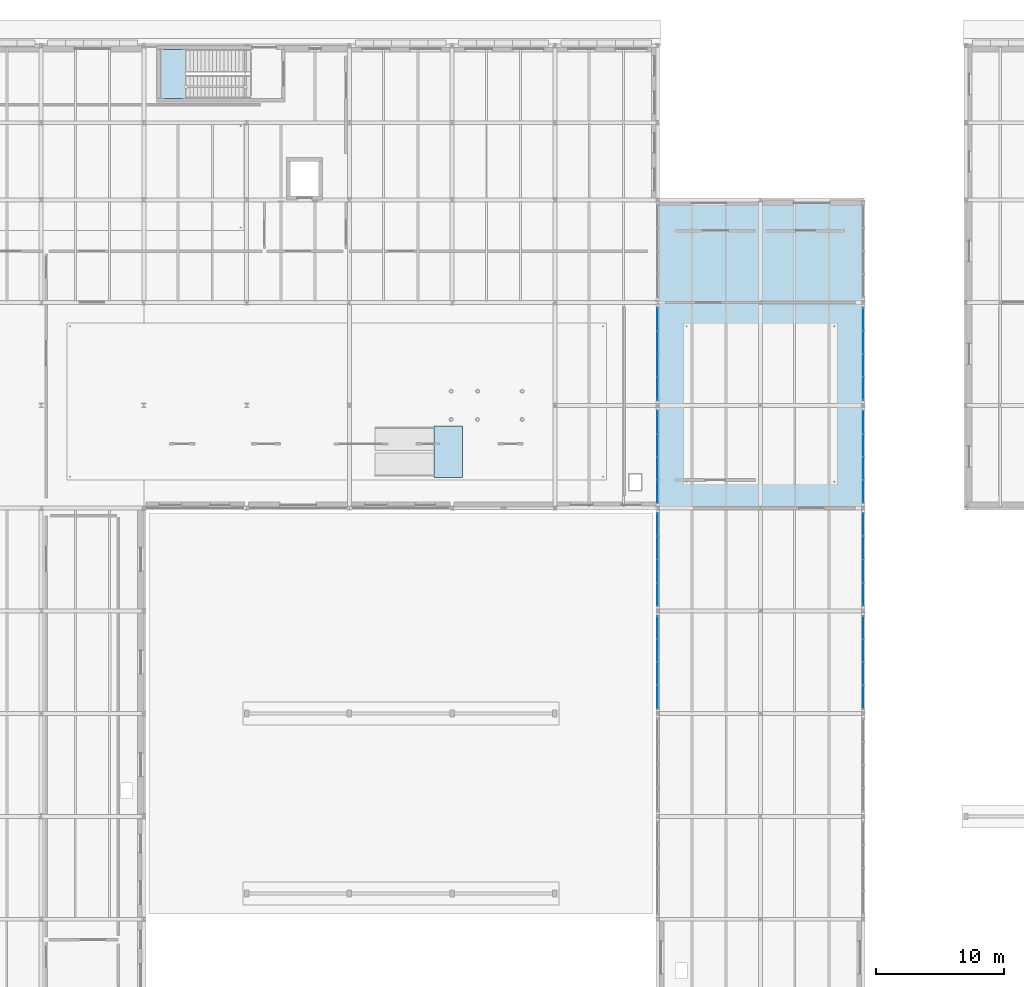
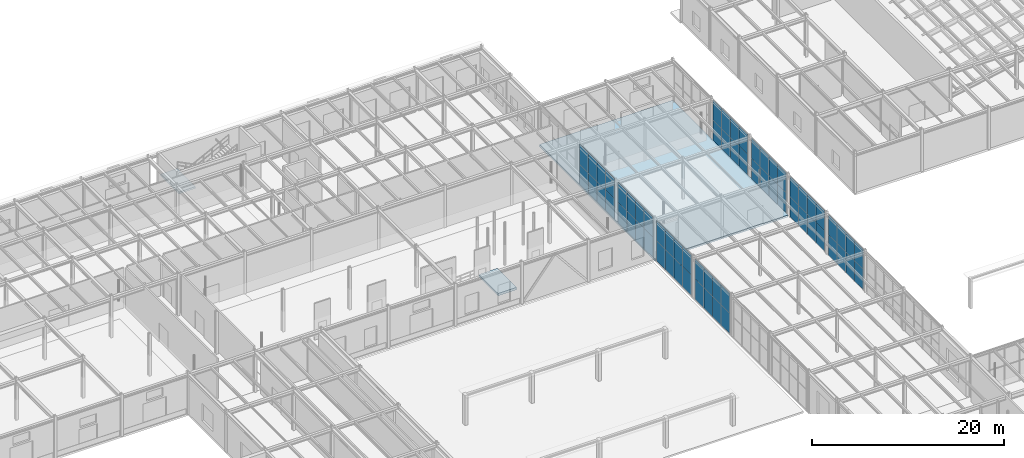
# One storey, part 62 of 129: 64 plates, 3 slabs, 10 elements without a shape of their own.
"""IFC4 building model written with IfcOpenShell, lengths in metres."""

from ifc_helpers import new_model, si_unit, direction, frame, origin, origin_2d, place, context, subcontext, project, spatial, polyline, rectangle, outline, extrude, material, layer, layer_set, type_object, element, aggregate, save


model = new_model("IFC4")

# Units and contexts
model_context = context("Model", 3, precision=1e-05, world=origin(), true_north=direction((0.0, 1.0)))
body_context = subcontext(model_context, "Body", "Model", "MODEL_VIEW")
ifc_project = project(units=[si_unit("LENGTHUNIT", "METRE"), si_unit("AREAUNIT", "SQUARE_METRE"), si_unit("VOLUMEUNIT", "CUBIC_METRE"), si_unit("PLANEANGLEUNIT", "RADIAN"), si_unit("MASSUNIT", "GRAM", prefix="KILO")], contexts=[model_context])

# Site, building, storey
site_placement = place(None, origin())
site = spatial("IfcSite", under=ifc_project, at=site_placement, CompositionType="ELEMENT")
building_placement = place(site_placement, origin())
building = spatial("IfcBuilding", under=site, at=building_placement, Name="Sundkrona Museum", CompositionType="ELEMENT")
storey_placement = place(building_placement, origin())
storey = spatial("IfcBuildingStorey", under=building, at=storey_placement, Name="L00", CompositionType="ELEMENT", Elevation=0.0)

# Curtain wall, plates
ifc_material_1 = material(Name="Unitised Aluminium-Steel and Ceramic-Clad Curtain Walling", Category="steel")
curtain_wall_type = type_object("IfcCurtainWallType", Name="CW-PS-74x48", PredefinedType="NOTDEFINED", material=ifc_material_1)
curtain_wall_1_placement = place(storey_placement, origin())
curtain_wall_1 = element("IfcCurtainWall", 1, at=curtain_wall_1_placement, inside=storey, type_object=curtain_wall_type, Name="L00 Curtain Wall CW-L00-098", PredefinedType="NOTDEFINED")
ifc_material_2 = material(Name="Triple Low-E Vision Glazing 32 mm", Category="glass")
ifc_layer_1 = layer(ifc_material_2, 0.031982421875)
ifc_layer_set_1 = layer_set([ifc_layer_1], Name="Triple Low-E Vision Glazing 32 mm")
plate_type = type_object("IfcPlateType", Name="PN-GL-01", PredefinedType="CURTAIN_PANEL", material=ifc_layer_set_1)
plate_1_placement = place(storey_placement, frame((80.0, 63.300048828125, -0.00390625), z_axis=(0.0, 0.0, 1.0), x_axis=(0.0, 1.0, 0.0)))
plate_1 = element("IfcPlate", 2, at=plate_1_placement, type_object=plate_type, Name="CW-L00-098 Panel 01", PredefinedType="CURTAIN_PANEL", context=body_context, shape_type="SweptSolid", body=[
    extrude(rectangle(XDim=1.800048828125, YDim=0.031982421875, at=origin_2d()), origin(), (0.0, 0.0, 1.0), 2.573974609375),
])
plate_2_placement = place(storey_placement, frame((80.0, 63.300048828125, 2.56982421875), z_axis=(0.0, 0.0, 1.0), x_axis=(0.0, 1.0, 0.0)))
plate_2 = element("IfcPlate", 3, at=plate_2_placement, type_object=plate_type, Name="CW-L00-098 Panel 02", PredefinedType="CURTAIN_PANEL", context=body_context, shape_type="SweptSolid", body=[
    extrude(rectangle(XDim=1.800048828125, YDim=0.031982421875, at=origin_2d()), origin(), (0.0, 0.0, 1.0), 2.573974609375),
])
plate_3_placement = place(storey_placement, frame((80.0, 65.10009765625, -0.00390625), z_axis=(0.0, 0.0, 1.0), x_axis=(0.0, 1.0, 0.0)))
plate_3 = element("IfcPlate", 4, at=plate_3_placement, type_object=plate_type, Name="CW-L00-098 Panel 03", PredefinedType="CURTAIN_PANEL", context=body_context, shape_type="SweptSolid", body=[
    extrude(rectangle(XDim=1.800048828125, YDim=0.031982421875, at=origin_2d()), origin(), (0.0, 0.0, 1.0), 2.573974609375),
])
plate_4_placement = place(storey_placement, frame((80.0, 65.10009765625, 2.56982421875), z_axis=(0.0, 0.0, 1.0), x_axis=(0.0, 1.0, 0.0)))
plate_4 = element("IfcPlate", 5, at=plate_4_placement, type_object=plate_type, Name="CW-L00-098 Panel 04", PredefinedType="CURTAIN_PANEL", context=body_context, shape_type="SweptSolid", body=[
    extrude(rectangle(XDim=1.800048828125, YDim=0.031982421875, at=origin_2d()), origin(), (0.0, 0.0, 1.0), 2.573974609375),
])
plate_5_placement = place(storey_placement, frame((80.0, 66.89990234375, -0.00390625), z_axis=(0.0, 0.0, 1.0), x_axis=(0.0, 1.0, 0.0)))
plate_5 = element("IfcPlate", 6, at=plate_5_placement, type_object=plate_type, Name="CW-L00-098 Panel 05", PredefinedType="CURTAIN_PANEL", context=body_context, shape_type="SweptSolid", body=[
    extrude(rectangle(XDim=1.800048828125, YDim=0.031982421875, at=origin_2d()), origin(), (0.0, 0.0, 1.0), 2.573974609375),
])
plate_6_placement = place(storey_placement, frame((80.0, 66.89990234375, 2.56982421875), z_axis=(0.0, 0.0, 1.0), x_axis=(0.0, 1.0, 0.0)))
plate_6 = element("IfcPlate", 7, at=plate_6_placement, type_object=plate_type, Name="CW-L00-098 Panel 06", PredefinedType="CURTAIN_PANEL", context=body_context, shape_type="SweptSolid", body=[
    extrude(rectangle(XDim=1.800048828125, YDim=0.031982421875, at=origin_2d()), origin(), (0.0, 0.0, 1.0), 2.573974609375),
])
plate_7_placement = place(storey_placement, frame((80.0, 68.699951171875, -0.00390625), z_axis=(0.0, 0.0, 1.0), x_axis=(0.0, 1.0, 0.0)))
plate_7 = element("IfcPlate", 8, at=plate_7_placement, type_object=plate_type, Name="CW-L00-098 Panel 07", PredefinedType="CURTAIN_PANEL", context=body_context, shape_type="SweptSolid", body=[
    extrude(rectangle(XDim=1.800048828125, YDim=0.031982421875, at=origin_2d()), origin(), (0.0, 0.0, 1.0), 2.573974609375),
])
plate_8_placement = place(storey_placement, frame((80.0, 68.699951171875, 2.56982421875), z_axis=(0.0, 0.0, 1.0), x_axis=(0.0, 1.0, 0.0)))
plate_8 = element("IfcPlate", 9, at=plate_8_placement, type_object=plate_type, Name="CW-L00-098 Panel 08", PredefinedType="CURTAIN_PANEL", context=body_context, shape_type="SweptSolid", body=[
    extrude(rectangle(XDim=1.800048828125, YDim=0.031982421875, at=origin_2d()), origin(), (0.0, 0.0, 1.0), 2.573974609375),
])
aggregate(curtain_wall_1, [plate_1, plate_2, plate_3, plate_4, plate_5, plate_6, plate_7, plate_8])

curtain_wall_2_placement = place(storey_placement, origin())
curtain_wall_2 = element("IfcCurtainWall", 10, at=curtain_wall_2_placement, inside=storey, type_object=curtain_wall_type, Name="L00 Curtain Wall CW-L00-099", PredefinedType="NOTDEFINED")
plate_9_placement = place(storey_placement, frame((96.0, 63.300048828125, -0.00390625), z_axis=(0.0, 0.0, 1.0), x_axis=(0.0, 1.0, 0.0)))
plate_9 = element("IfcPlate", 11, at=plate_9_placement, type_object=plate_type, Name="CW-L00-099 Panel 01", PredefinedType="CURTAIN_PANEL", context=body_context, shape_type="SweptSolid", body=[
    extrude(rectangle(XDim=1.800048828125, YDim=0.031982421875, at=origin_2d()), origin(), (0.0, 0.0, 1.0), 2.573974609375),
])
plate_10_placement = place(storey_placement, frame((96.0, 63.300048828125, 2.56982421875), z_axis=(0.0, 0.0, 1.0), x_axis=(0.0, 1.0, 0.0)))
plate_10 = element("IfcPlate", 12, at=plate_10_placement, type_object=plate_type, Name="CW-L00-099 Panel 02", PredefinedType="CURTAIN_PANEL", context=body_context, shape_type="SweptSolid", body=[
    extrude(rectangle(XDim=1.800048828125, YDim=0.031982421875, at=origin_2d()), origin(), (0.0, 0.0, 1.0), 2.573974609375),
])
plate_11_placement = place(storey_placement, frame((96.0, 65.10009765625, -0.00390625), z_axis=(0.0, 0.0, 1.0), x_axis=(0.0, 1.0, 0.0)))
plate_11 = element("IfcPlate", 13, at=plate_11_placement, type_object=plate_type, Name="CW-L00-099 Panel 03", PredefinedType="CURTAIN_PANEL", context=body_context, shape_type="SweptSolid", body=[
    extrude(rectangle(XDim=1.800048828125, YDim=0.031982421875, at=origin_2d()), origin(), (0.0, 0.0, 1.0), 2.573974609375),
])
plate_12_placement = place(storey_placement, frame((96.0, 65.10009765625, 2.56982421875), z_axis=(0.0, 0.0, 1.0), x_axis=(0.0, 1.0, 0.0)))
plate_12 = element("IfcPlate", 14, at=plate_12_placement, type_object=plate_type, Name="CW-L00-099 Panel 04", PredefinedType="CURTAIN_PANEL", context=body_context, shape_type="SweptSolid", body=[
    extrude(rectangle(XDim=1.800048828125, YDim=0.031982421875, at=origin_2d()), origin(), (0.0, 0.0, 1.0), 2.573974609375),
])
plate_13_placement = place(storey_placement, frame((96.0, 66.89990234375, -0.00390625), z_axis=(0.0, 0.0, 1.0), x_axis=(0.0, 1.0, 0.0)))
plate_13 = element("IfcPlate", 15, at=plate_13_placement, type_object=plate_type, Name="CW-L00-099 Panel 05", PredefinedType="CURTAIN_PANEL", context=body_context, shape_type="SweptSolid", body=[
    extrude(rectangle(XDim=1.800048828125, YDim=0.031982421875, at=origin_2d()), origin(), (0.0, 0.0, 1.0), 2.573974609375),
])
plate_14_placement = place(storey_placement, frame((96.0, 66.89990234375, 2.56982421875), z_axis=(0.0, 0.0, 1.0), x_axis=(0.0, 1.0, 0.0)))
plate_14 = element("IfcPlate", 16, at=plate_14_placement, type_object=plate_type, Name="CW-L00-099 Panel 06", PredefinedType="CURTAIN_PANEL", context=body_context, shape_type="SweptSolid", body=[
    extrude(rectangle(XDim=1.800048828125, YDim=0.031982421875, at=origin_2d()), origin(), (0.0, 0.0, 1.0), 2.573974609375),
])
plate_15_placement = place(storey_placement, frame((96.0, 68.699951171875, -0.00390625), z_axis=(0.0, 0.0, 1.0), x_axis=(0.0, 1.0, 0.0)))
plate_15 = element("IfcPlate", 17, at=plate_15_placement, type_object=plate_type, Name="CW-L00-099 Panel 07", PredefinedType="CURTAIN_PANEL", context=body_context, shape_type="SweptSolid", body=[
    extrude(rectangle(XDim=1.800048828125, YDim=0.031982421875, at=origin_2d()), origin(), (0.0, 0.0, 1.0), 2.573974609375),
])
plate_16_placement = place(storey_placement, frame((96.0, 68.699951171875, 2.56982421875), z_axis=(0.0, 0.0, 1.0), x_axis=(0.0, 1.0, 0.0)))
plate_16 = element("IfcPlate", 18, at=plate_16_placement, type_object=plate_type, Name="CW-L00-099 Panel 08", PredefinedType="CURTAIN_PANEL", context=body_context, shape_type="SweptSolid", body=[
    extrude(rectangle(XDim=1.800048828125, YDim=0.031982421875, at=origin_2d()), origin(), (0.0, 0.0, 1.0), 2.573974609375),
])
aggregate(curtain_wall_2, [plate_9, plate_10, plate_11, plate_12, plate_13, plate_14, plate_15, plate_16])

curtain_wall_3_placement = place(storey_placement, origin())
curtain_wall_3 = element("IfcCurtainWall", 19, at=curtain_wall_3_placement, inside=storey, type_object=curtain_wall_type, Name="L00 Curtain Wall CW-L00-100", PredefinedType="NOTDEFINED")
plate_17_placement = place(storey_placement, frame((80.0, 71.300048828125, -0.00390625), z_axis=(0.0, 0.0, 1.0), x_axis=(0.0, 1.0, 0.0)))
plate_17 = element("IfcPlate", 20, at=plate_17_placement, type_object=plate_type, Name="CW-L00-100 Panel 01", PredefinedType="CURTAIN_PANEL", context=body_context, shape_type="SweptSolid", body=[
    extrude(rectangle(XDim=1.800048828125, YDim=0.031982421875, at=origin_2d()), origin(), (0.0, 0.0, 1.0), 2.573974609375),
])
plate_18_placement = place(storey_placement, frame((80.0, 71.300048828125, 2.56982421875), z_axis=(0.0, 0.0, 1.0), x_axis=(0.0, 1.0, 0.0)))
plate_18 = element("IfcPlate", 21, at=plate_18_placement, type_object=plate_type, Name="CW-L00-100 Panel 02", PredefinedType="CURTAIN_PANEL", context=body_context, shape_type="SweptSolid", body=[
    extrude(rectangle(XDim=1.800048828125, YDim=0.031982421875, at=origin_2d()), origin(), (0.0, 0.0, 1.0), 2.573974609375),
])
plate_19_placement = place(storey_placement, frame((80.0, 73.10009765625, -0.00390625), z_axis=(0.0, 0.0, 1.0), x_axis=(0.0, 1.0, 0.0)))
plate_19 = element("IfcPlate", 22, at=plate_19_placement, type_object=plate_type, Name="CW-L00-100 Panel 03", PredefinedType="CURTAIN_PANEL", context=body_context, shape_type="SweptSolid", body=[
    extrude(rectangle(XDim=1.800048828125, YDim=0.031982421875, at=origin_2d()), origin(), (0.0, 0.0, 1.0), 2.573974609375),
])
plate_20_placement = place(storey_placement, frame((80.0, 73.10009765625, 2.56982421875), z_axis=(0.0, 0.0, 1.0), x_axis=(0.0, 1.0, 0.0)))
plate_20 = element("IfcPlate", 23, at=plate_20_placement, type_object=plate_type, Name="CW-L00-100 Panel 04", PredefinedType="CURTAIN_PANEL", context=body_context, shape_type="SweptSolid", body=[
    extrude(rectangle(XDim=1.800048828125, YDim=0.031982421875, at=origin_2d()), origin(), (0.0, 0.0, 1.0), 2.573974609375),
])
plate_21_placement = place(storey_placement, frame((80.0, 74.89990234375, -0.00390625), z_axis=(0.0, 0.0, 1.0), x_axis=(0.0, 1.0, 0.0)))
plate_21 = element("IfcPlate", 24, at=plate_21_placement, type_object=plate_type, Name="CW-L00-100 Panel 05", PredefinedType="CURTAIN_PANEL", context=body_context, shape_type="SweptSolid", body=[
    extrude(rectangle(XDim=1.800048828125, YDim=0.031982421875, at=origin_2d()), origin(), (0.0, 0.0, 1.0), 2.573974609375),
])
plate_22_placement = place(storey_placement, frame((80.0, 74.89990234375, 2.56982421875), z_axis=(0.0, 0.0, 1.0), x_axis=(0.0, 1.0, 0.0)))
plate_22 = element("IfcPlate", 25, at=plate_22_placement, type_object=plate_type, Name="CW-L00-100 Panel 06", PredefinedType="CURTAIN_PANEL", context=body_context, shape_type="SweptSolid", body=[
    extrude(rectangle(XDim=1.800048828125, YDim=0.031982421875, at=origin_2d()), origin(), (0.0, 0.0, 1.0), 2.573974609375),
])
plate_23_placement = place(storey_placement, frame((80.0, 76.699951171875, -0.00390625), z_axis=(0.0, 0.0, 1.0), x_axis=(0.0, 1.0, 0.0)))
plate_23 = element("IfcPlate", 26, at=plate_23_placement, type_object=plate_type, Name="CW-L00-100 Panel 07", PredefinedType="CURTAIN_PANEL", context=body_context, shape_type="SweptSolid", body=[
    extrude(rectangle(XDim=1.800048828125, YDim=0.031982421875, at=origin_2d()), origin(), (0.0, 0.0, 1.0), 2.573974609375),
])
plate_24_placement = place(storey_placement, frame((80.0, 76.699951171875, 2.56982421875), z_axis=(0.0, 0.0, 1.0), x_axis=(0.0, 1.0, 0.0)))
plate_24 = element("IfcPlate", 27, at=plate_24_placement, type_object=plate_type, Name="CW-L00-100 Panel 08", PredefinedType="CURTAIN_PANEL", context=body_context, shape_type="SweptSolid", body=[
    extrude(rectangle(XDim=1.800048828125, YDim=0.031982421875, at=origin_2d()), origin(), (0.0, 0.0, 1.0), 2.573974609375),
])
aggregate(curtain_wall_3, [plate_17, plate_18, plate_19, plate_20, plate_21, plate_22, plate_23, plate_24])

curtain_wall_4_placement = place(storey_placement, origin())
curtain_wall_4 = element("IfcCurtainWall", 28, at=curtain_wall_4_placement, inside=storey, type_object=curtain_wall_type, Name="L00 Curtain Wall CW-L00-101", PredefinedType="NOTDEFINED")
plate_25_placement = place(storey_placement, frame((96.0, 71.300048828125, -0.00390625), z_axis=(0.0, 0.0, 1.0), x_axis=(0.0, 1.0, 0.0)))
plate_25 = element("IfcPlate", 29, at=plate_25_placement, type_object=plate_type, Name="CW-L00-101 Panel 01", PredefinedType="CURTAIN_PANEL", context=body_context, shape_type="SweptSolid", body=[
    extrude(rectangle(XDim=1.800048828125, YDim=0.031982421875, at=origin_2d()), origin(), (0.0, 0.0, 1.0), 2.573974609375),
])
plate_26_placement = place(storey_placement, frame((96.0, 71.300048828125, 2.56982421875), z_axis=(0.0, 0.0, 1.0), x_axis=(0.0, 1.0, 0.0)))
plate_26 = element("IfcPlate", 30, at=plate_26_placement, type_object=plate_type, Name="CW-L00-101 Panel 02", PredefinedType="CURTAIN_PANEL", context=body_context, shape_type="SweptSolid", body=[
    extrude(rectangle(XDim=1.800048828125, YDim=0.031982421875, at=origin_2d()), origin(), (0.0, 0.0, 1.0), 2.573974609375),
])
plate_27_placement = place(storey_placement, frame((96.0, 73.10009765625, -0.00390625), z_axis=(0.0, 0.0, 1.0), x_axis=(0.0, 1.0, 0.0)))
plate_27 = element("IfcPlate", 31, at=plate_27_placement, type_object=plate_type, Name="CW-L00-101 Panel 03", PredefinedType="CURTAIN_PANEL", context=body_context, shape_type="SweptSolid", body=[
    extrude(rectangle(XDim=1.800048828125, YDim=0.031982421875, at=origin_2d()), origin(), (0.0, 0.0, 1.0), 2.573974609375),
])
plate_28_placement = place(storey_placement, frame((96.0, 73.10009765625, 2.56982421875), z_axis=(0.0, 0.0, 1.0), x_axis=(0.0, 1.0, 0.0)))
plate_28 = element("IfcPlate", 32, at=plate_28_placement, type_object=plate_type, Name="CW-L00-101 Panel 04", PredefinedType="CURTAIN_PANEL", context=body_context, shape_type="SweptSolid", body=[
    extrude(rectangle(XDim=1.800048828125, YDim=0.031982421875, at=origin_2d()), origin(), (0.0, 0.0, 1.0), 2.573974609375),
])
plate_29_placement = place(storey_placement, frame((96.0, 74.89990234375, -0.00390625), z_axis=(0.0, 0.0, 1.0), x_axis=(0.0, 1.0, 0.0)))
plate_29 = element("IfcPlate", 33, at=plate_29_placement, type_object=plate_type, Name="CW-L00-101 Panel 05", PredefinedType="CURTAIN_PANEL", context=body_context, shape_type="SweptSolid", body=[
    extrude(rectangle(XDim=1.800048828125, YDim=0.031982421875, at=origin_2d()), origin(), (0.0, 0.0, 1.0), 2.573974609375),
])
plate_30_placement = place(storey_placement, frame((96.0, 74.89990234375, 2.56982421875), z_axis=(0.0, 0.0, 1.0), x_axis=(0.0, 1.0, 0.0)))
plate_30 = element("IfcPlate", 34, at=plate_30_placement, type_object=plate_type, Name="CW-L00-101 Panel 06", PredefinedType="CURTAIN_PANEL", context=body_context, shape_type="SweptSolid", body=[
    extrude(rectangle(XDim=1.800048828125, YDim=0.031982421875, at=origin_2d()), origin(), (0.0, 0.0, 1.0), 2.573974609375),
])
plate_31_placement = place(storey_placement, frame((96.0, 76.699951171875, -0.00390625), z_axis=(0.0, 0.0, 1.0), x_axis=(0.0, 1.0, 0.0)))
plate_31 = element("IfcPlate", 35, at=plate_31_placement, type_object=plate_type, Name="CW-L00-101 Panel 07", PredefinedType="CURTAIN_PANEL", context=body_context, shape_type="SweptSolid", body=[
    extrude(rectangle(XDim=1.800048828125, YDim=0.031982421875, at=origin_2d()), origin(), (0.0, 0.0, 1.0), 2.573974609375),
])
plate_32_placement = place(storey_placement, frame((96.0, 76.699951171875, 2.56982421875), z_axis=(0.0, 0.0, 1.0), x_axis=(0.0, 1.0, 0.0)))
plate_32 = element("IfcPlate", 36, at=plate_32_placement, type_object=plate_type, Name="CW-L00-101 Panel 08", PredefinedType="CURTAIN_PANEL", context=body_context, shape_type="SweptSolid", body=[
    extrude(rectangle(XDim=1.800048828125, YDim=0.031982421875, at=origin_2d()), origin(), (0.0, 0.0, 1.0), 2.573974609375),
])
aggregate(curtain_wall_4, [plate_25, plate_26, plate_27, plate_28, plate_29, plate_30, plate_31, plate_32])

curtain_wall_5_placement = place(storey_placement, origin())
curtain_wall_5 = element("IfcCurtainWall", 37, at=curtain_wall_5_placement, inside=storey, type_object=curtain_wall_type, Name="L00 Curtain Wall CW-L00-102", PredefinedType="NOTDEFINED")
plate_33_placement = place(storey_placement, frame((80.0, 79.300048828125, -0.00390625), z_axis=(0.0, 0.0, 1.0), x_axis=(0.0, 1.0, 0.0)))
plate_33 = element("IfcPlate", 38, at=plate_33_placement, type_object=plate_type, Name="CW-L00-102 Panel 01", PredefinedType="CURTAIN_PANEL", context=body_context, shape_type="SweptSolid", body=[
    extrude(rectangle(XDim=1.800048828125, YDim=0.031982421875, at=origin_2d()), origin(), (0.0, 0.0, 1.0), 2.573974609375),
])
plate_34_placement = place(storey_placement, frame((80.0, 79.300048828125, 2.56982421875), z_axis=(0.0, 0.0, 1.0), x_axis=(0.0, 1.0, 0.0)))
plate_34 = element("IfcPlate", 39, at=plate_34_placement, type_object=plate_type, Name="CW-L00-102 Panel 02", PredefinedType="CURTAIN_PANEL", context=body_context, shape_type="SweptSolid", body=[
    extrude(rectangle(XDim=1.800048828125, YDim=0.031982421875, at=origin_2d()), origin(), (0.0, 0.0, 1.0), 2.573974609375),
])
plate_35_placement = place(storey_placement, frame((80.0, 81.10009765625, -0.00390625), z_axis=(0.0, 0.0, 1.0), x_axis=(0.0, 1.0, 0.0)))
plate_35 = element("IfcPlate", 40, at=plate_35_placement, type_object=plate_type, Name="CW-L00-102 Panel 03", PredefinedType="CURTAIN_PANEL", context=body_context, shape_type="SweptSolid", body=[
    extrude(rectangle(XDim=1.800048828125, YDim=0.031982421875, at=origin_2d()), origin(), (0.0, 0.0, 1.0), 2.573974609375),
])
plate_36_placement = place(storey_placement, frame((80.0, 81.10009765625, 2.56982421875), z_axis=(0.0, 0.0, 1.0), x_axis=(0.0, 1.0, 0.0)))
plate_36 = element("IfcPlate", 41, at=plate_36_placement, type_object=plate_type, Name="CW-L00-102 Panel 04", PredefinedType="CURTAIN_PANEL", context=body_context, shape_type="SweptSolid", body=[
    extrude(rectangle(XDim=1.800048828125, YDim=0.031982421875, at=origin_2d()), origin(), (0.0, 0.0, 1.0), 2.573974609375),
])
plate_37_placement = place(storey_placement, frame((80.0, 82.89990234375, -0.00390625), z_axis=(0.0, 0.0, 1.0), x_axis=(0.0, 1.0, 0.0)))
plate_37 = element("IfcPlate", 42, at=plate_37_placement, type_object=plate_type, Name="CW-L00-102 Panel 05", PredefinedType="CURTAIN_PANEL", context=body_context, shape_type="SweptSolid", body=[
    extrude(rectangle(XDim=1.800048828125, YDim=0.031982421875, at=origin_2d()), origin(), (0.0, 0.0, 1.0), 2.573974609375),
])
plate_38_placement = place(storey_placement, frame((80.0, 82.89990234375, 2.56982421875), z_axis=(0.0, 0.0, 1.0), x_axis=(0.0, 1.0, 0.0)))
plate_38 = element("IfcPlate", 43, at=plate_38_placement, type_object=plate_type, Name="CW-L00-102 Panel 06", PredefinedType="CURTAIN_PANEL", context=body_context, shape_type="SweptSolid", body=[
    extrude(rectangle(XDim=1.800048828125, YDim=0.031982421875, at=origin_2d()), origin(), (0.0, 0.0, 1.0), 2.573974609375),
])
plate_39_placement = place(storey_placement, frame((80.0, 84.699951171875, -0.00390625), z_axis=(0.0, 0.0, 1.0), x_axis=(0.0, 1.0, 0.0)))
plate_39 = element("IfcPlate", 44, at=plate_39_placement, type_object=plate_type, Name="CW-L00-102 Panel 07", PredefinedType="CURTAIN_PANEL", context=body_context, shape_type="SweptSolid", body=[
    extrude(rectangle(XDim=1.800048828125, YDim=0.031982421875, at=origin_2d()), origin(), (0.0, 0.0, 1.0), 2.573974609375),
])
plate_40_placement = place(storey_placement, frame((80.0, 84.699951171875, 2.56982421875), z_axis=(0.0, 0.0, 1.0), x_axis=(0.0, 1.0, 0.0)))
plate_40 = element("IfcPlate", 45, at=plate_40_placement, type_object=plate_type, Name="CW-L00-102 Panel 08", PredefinedType="CURTAIN_PANEL", context=body_context, shape_type="SweptSolid", body=[
    extrude(rectangle(XDim=1.800048828125, YDim=0.031982421875, at=origin_2d()), origin(), (0.0, 0.0, 1.0), 2.573974609375),
])
aggregate(curtain_wall_5, [plate_33, plate_34, plate_35, plate_36, plate_37, plate_38, plate_39, plate_40])

curtain_wall_6_placement = place(storey_placement, origin())
curtain_wall_6 = element("IfcCurtainWall", 46, at=curtain_wall_6_placement, inside=storey, type_object=curtain_wall_type, Name="L00 Curtain Wall CW-L00-103", PredefinedType="NOTDEFINED")
plate_41_placement = place(storey_placement, frame((96.0, 79.300048828125, -0.00390625), z_axis=(0.0, 0.0, 1.0), x_axis=(0.0, 1.0, 0.0)))
plate_41 = element("IfcPlate", 47, at=plate_41_placement, type_object=plate_type, Name="CW-L00-103 Panel 01", PredefinedType="CURTAIN_PANEL", context=body_context, shape_type="SweptSolid", body=[
    extrude(rectangle(XDim=1.800048828125, YDim=0.031982421875, at=origin_2d()), origin(), (0.0, 0.0, 1.0), 2.573974609375),
])
plate_42_placement = place(storey_placement, frame((96.0, 79.300048828125, 2.56982421875), z_axis=(0.0, 0.0, 1.0), x_axis=(0.0, 1.0, 0.0)))
plate_42 = element("IfcPlate", 48, at=plate_42_placement, type_object=plate_type, Name="CW-L00-103 Panel 02", PredefinedType="CURTAIN_PANEL", context=body_context, shape_type="SweptSolid", body=[
    extrude(rectangle(XDim=1.800048828125, YDim=0.031982421875, at=origin_2d()), origin(), (0.0, 0.0, 1.0), 2.573974609375),
])
plate_43_placement = place(storey_placement, frame((96.0, 81.10009765625, -0.00390625), z_axis=(0.0, 0.0, 1.0), x_axis=(0.0, 1.0, 0.0)))
plate_43 = element("IfcPlate", 49, at=plate_43_placement, type_object=plate_type, Name="CW-L00-103 Panel 03", PredefinedType="CURTAIN_PANEL", context=body_context, shape_type="SweptSolid", body=[
    extrude(rectangle(XDim=1.800048828125, YDim=0.031982421875, at=origin_2d()), origin(), (0.0, 0.0, 1.0), 2.573974609375),
])
plate_44_placement = place(storey_placement, frame((96.0, 81.10009765625, 2.56982421875), z_axis=(0.0, 0.0, 1.0), x_axis=(0.0, 1.0, 0.0)))
plate_44 = element("IfcPlate", 50, at=plate_44_placement, type_object=plate_type, Name="CW-L00-103 Panel 04", PredefinedType="CURTAIN_PANEL", context=body_context, shape_type="SweptSolid", body=[
    extrude(rectangle(XDim=1.800048828125, YDim=0.031982421875, at=origin_2d()), origin(), (0.0, 0.0, 1.0), 2.573974609375),
])
plate_45_placement = place(storey_placement, frame((96.0, 82.89990234375, -0.00390625), z_axis=(0.0, 0.0, 1.0), x_axis=(0.0, 1.0, 0.0)))
plate_45 = element("IfcPlate", 51, at=plate_45_placement, type_object=plate_type, Name="CW-L00-103 Panel 05", PredefinedType="CURTAIN_PANEL", context=body_context, shape_type="SweptSolid", body=[
    extrude(rectangle(XDim=1.800048828125, YDim=0.031982421875, at=origin_2d()), origin(), (0.0, 0.0, 1.0), 2.573974609375),
])
plate_46_placement = place(storey_placement, frame((96.0, 82.89990234375, 2.56982421875), z_axis=(0.0, 0.0, 1.0), x_axis=(0.0, 1.0, 0.0)))
plate_46 = element("IfcPlate", 52, at=plate_46_placement, type_object=plate_type, Name="CW-L00-103 Panel 06", PredefinedType="CURTAIN_PANEL", context=body_context, shape_type="SweptSolid", body=[
    extrude(rectangle(XDim=1.800048828125, YDim=0.031982421875, at=origin_2d()), origin(), (0.0, 0.0, 1.0), 2.573974609375),
])
plate_47_placement = place(storey_placement, frame((96.0, 84.699951171875, -0.00390625), z_axis=(0.0, 0.0, 1.0), x_axis=(0.0, 1.0, 0.0)))
plate_47 = element("IfcPlate", 53, at=plate_47_placement, type_object=plate_type, Name="CW-L00-103 Panel 07", PredefinedType="CURTAIN_PANEL", context=body_context, shape_type="SweptSolid", body=[
    extrude(rectangle(XDim=1.800048828125, YDim=0.031982421875, at=origin_2d()), origin(), (0.0, 0.0, 1.0), 2.573974609375),
])
plate_48_placement = place(storey_placement, frame((96.0, 84.699951171875, 2.56982421875), z_axis=(0.0, 0.0, 1.0), x_axis=(0.0, 1.0, 0.0)))
plate_48 = element("IfcPlate", 54, at=plate_48_placement, type_object=plate_type, Name="CW-L00-103 Panel 08", PredefinedType="CURTAIN_PANEL", context=body_context, shape_type="SweptSolid", body=[
    extrude(rectangle(XDim=1.800048828125, YDim=0.031982421875, at=origin_2d()), origin(), (0.0, 0.0, 1.0), 2.573974609375),
])
aggregate(curtain_wall_6, [plate_41, plate_42, plate_43, plate_44, plate_45, plate_46, plate_47, plate_48])

curtain_wall_7_placement = place(storey_placement, origin())
curtain_wall_7 = element("IfcCurtainWall", 55, at=curtain_wall_7_placement, inside=storey, type_object=curtain_wall_type, Name="L00 Curtain Wall CW-L00-104", PredefinedType="NOTDEFINED")
plate_49_placement = place(storey_placement, frame((80.0, 87.300048828125, -0.00390625), z_axis=(0.0, 0.0, 1.0), x_axis=(0.0, 1.0, 0.0)))
plate_49 = element("IfcPlate", 56, at=plate_49_placement, type_object=plate_type, Name="CW-L00-104 Panel 01", PredefinedType="CURTAIN_PANEL", context=body_context, shape_type="SweptSolid", body=[
    extrude(rectangle(XDim=1.800048828125, YDim=0.031982421875, at=origin_2d()), origin(), (0.0, 0.0, 1.0), 2.573974609375),
])
plate_50_placement = place(storey_placement, frame((80.0, 87.300048828125, 2.56982421875), z_axis=(0.0, 0.0, 1.0), x_axis=(0.0, 1.0, 0.0)))
plate_50 = element("IfcPlate", 57, at=plate_50_placement, type_object=plate_type, Name="CW-L00-104 Panel 02", PredefinedType="CURTAIN_PANEL", context=body_context, shape_type="SweptSolid", body=[
    extrude(rectangle(XDim=1.800048828125, YDim=0.031982421875, at=origin_2d()), origin(), (0.0, 0.0, 1.0), 2.573974609375),
])
plate_51_placement = place(storey_placement, frame((80.0, 89.10009765625, -0.00390625), z_axis=(0.0, 0.0, 1.0), x_axis=(0.0, 1.0, 0.0)))
plate_51 = element("IfcPlate", 58, at=plate_51_placement, type_object=plate_type, Name="CW-L00-104 Panel 03", PredefinedType="CURTAIN_PANEL", context=body_context, shape_type="SweptSolid", body=[
    extrude(rectangle(XDim=1.800048828125, YDim=0.031982421875, at=origin_2d()), origin(), (0.0, 0.0, 1.0), 2.573974609375),
])
plate_52_placement = place(storey_placement, frame((80.0, 89.10009765625, 2.56982421875), z_axis=(0.0, 0.0, 1.0), x_axis=(0.0, 1.0, 0.0)))
plate_52 = element("IfcPlate", 59, at=plate_52_placement, type_object=plate_type, Name="CW-L00-104 Panel 04", PredefinedType="CURTAIN_PANEL", context=body_context, shape_type="SweptSolid", body=[
    extrude(rectangle(XDim=1.800048828125, YDim=0.031982421875, at=origin_2d()), origin(), (0.0, 0.0, 1.0), 2.573974609375),
])
plate_53_placement = place(storey_placement, frame((80.0, 90.89990234375, -0.00390625), z_axis=(0.0, 0.0, 1.0), x_axis=(0.0, 1.0, 0.0)))
plate_53 = element("IfcPlate", 60, at=plate_53_placement, type_object=plate_type, Name="CW-L00-104 Panel 05", PredefinedType="CURTAIN_PANEL", context=body_context, shape_type="SweptSolid", body=[
    extrude(rectangle(XDim=1.800048828125, YDim=0.031982421875, at=origin_2d()), origin(), (0.0, 0.0, 1.0), 2.573974609375),
])
plate_54_placement = place(storey_placement, frame((80.0, 90.89990234375, 2.56982421875), z_axis=(0.0, 0.0, 1.0), x_axis=(0.0, 1.0, 0.0)))
plate_54 = element("IfcPlate", 61, at=plate_54_placement, type_object=plate_type, Name="CW-L00-104 Panel 06", PredefinedType="CURTAIN_PANEL", context=body_context, shape_type="SweptSolid", body=[
    extrude(rectangle(XDim=1.800048828125, YDim=0.031982421875, at=origin_2d()), origin(), (0.0, 0.0, 1.0), 2.573974609375),
])
plate_55_placement = place(storey_placement, frame((80.0, 92.699951171875, -0.00390625), z_axis=(0.0, 0.0, 1.0), x_axis=(0.0, 1.0, 0.0)))
plate_55 = element("IfcPlate", 62, at=plate_55_placement, type_object=plate_type, Name="CW-L00-104 Panel 07", PredefinedType="CURTAIN_PANEL", context=body_context, shape_type="SweptSolid", body=[
    extrude(rectangle(XDim=1.800048828125, YDim=0.031982421875, at=origin_2d()), origin(), (0.0, 0.0, 1.0), 2.573974609375),
])
plate_56_placement = place(storey_placement, frame((80.0, 92.699951171875, 2.56982421875), z_axis=(0.0, 0.0, 1.0), x_axis=(0.0, 1.0, 0.0)))
plate_56 = element("IfcPlate", 63, at=plate_56_placement, type_object=plate_type, Name="CW-L00-104 Panel 08", PredefinedType="CURTAIN_PANEL", context=body_context, shape_type="SweptSolid", body=[
    extrude(rectangle(XDim=1.800048828125, YDim=0.031982421875, at=origin_2d()), origin(), (0.0, 0.0, 1.0), 2.573974609375),
])
aggregate(curtain_wall_7, [plate_49, plate_50, plate_51, plate_52, plate_53, plate_54, plate_55, plate_56])

curtain_wall_8_placement = place(storey_placement, origin())
curtain_wall_8 = element("IfcCurtainWall", 64, at=curtain_wall_8_placement, inside=storey, type_object=curtain_wall_type, Name="L00 Curtain Wall CW-L00-105", PredefinedType="NOTDEFINED")
plate_57_placement = place(storey_placement, frame((96.0, 87.300048828125, -0.00390625), z_axis=(0.0, 0.0, 1.0), x_axis=(0.0, 1.0, 0.0)))
plate_57 = element("IfcPlate", 65, at=plate_57_placement, type_object=plate_type, Name="CW-L00-105 Panel 01", PredefinedType="CURTAIN_PANEL", context=body_context, shape_type="SweptSolid", body=[
    extrude(rectangle(XDim=1.800048828125, YDim=0.031982421875, at=origin_2d()), origin(), (0.0, 0.0, 1.0), 2.573974609375),
])
plate_58_placement = place(storey_placement, frame((96.0, 87.300048828125, 2.56982421875), z_axis=(0.0, 0.0, 1.0), x_axis=(0.0, 1.0, 0.0)))
plate_58 = element("IfcPlate", 66, at=plate_58_placement, type_object=plate_type, Name="CW-L00-105 Panel 02", PredefinedType="CURTAIN_PANEL", context=body_context, shape_type="SweptSolid", body=[
    extrude(rectangle(XDim=1.800048828125, YDim=0.031982421875, at=origin_2d()), origin(), (0.0, 0.0, 1.0), 2.573974609375),
])
plate_59_placement = place(storey_placement, frame((96.0, 89.10009765625, -0.00390625), z_axis=(0.0, 0.0, 1.0), x_axis=(0.0, 1.0, 0.0)))
plate_59 = element("IfcPlate", 67, at=plate_59_placement, type_object=plate_type, Name="CW-L00-105 Panel 03", PredefinedType="CURTAIN_PANEL", context=body_context, shape_type="SweptSolid", body=[
    extrude(rectangle(XDim=1.800048828125, YDim=0.031982421875, at=origin_2d()), origin(), (0.0, 0.0, 1.0), 2.573974609375),
])
plate_60_placement = place(storey_placement, frame((96.0, 89.10009765625, 2.56982421875), z_axis=(0.0, 0.0, 1.0), x_axis=(0.0, 1.0, 0.0)))
plate_60 = element("IfcPlate", 68, at=plate_60_placement, type_object=plate_type, Name="CW-L00-105 Panel 04", PredefinedType="CURTAIN_PANEL", context=body_context, shape_type="SweptSolid", body=[
    extrude(rectangle(XDim=1.800048828125, YDim=0.031982421875, at=origin_2d()), origin(), (0.0, 0.0, 1.0), 2.573974609375),
])
plate_61_placement = place(storey_placement, frame((96.0, 90.89990234375, -0.00390625), z_axis=(0.0, 0.0, 1.0), x_axis=(0.0, 1.0, 0.0)))
plate_61 = element("IfcPlate", 69, at=plate_61_placement, type_object=plate_type, Name="CW-L00-105 Panel 05", PredefinedType="CURTAIN_PANEL", context=body_context, shape_type="SweptSolid", body=[
    extrude(rectangle(XDim=1.800048828125, YDim=0.031982421875, at=origin_2d()), origin(), (0.0, 0.0, 1.0), 2.573974609375),
])
plate_62_placement = place(storey_placement, frame((96.0, 90.89990234375, 2.56982421875), z_axis=(0.0, 0.0, 1.0), x_axis=(0.0, 1.0, 0.0)))
plate_62 = element("IfcPlate", 70, at=plate_62_placement, type_object=plate_type, Name="CW-L00-105 Panel 06", PredefinedType="CURTAIN_PANEL", context=body_context, shape_type="SweptSolid", body=[
    extrude(rectangle(XDim=1.800048828125, YDim=0.031982421875, at=origin_2d()), origin(), (0.0, 0.0, 1.0), 2.573974609375),
])
plate_63_placement = place(storey_placement, frame((96.0, 92.699951171875, -0.00390625), z_axis=(0.0, 0.0, 1.0), x_axis=(0.0, 1.0, 0.0)))
plate_63 = element("IfcPlate", 71, at=plate_63_placement, type_object=plate_type, Name="CW-L00-105 Panel 07", PredefinedType="CURTAIN_PANEL", context=body_context, shape_type="SweptSolid", body=[
    extrude(rectangle(XDim=1.800048828125, YDim=0.031982421875, at=origin_2d()), origin(), (0.0, 0.0, 1.0), 2.573974609375),
])
plate_64_placement = place(storey_placement, frame((96.0, 92.699951171875, 2.56982421875), z_axis=(0.0, 0.0, 1.0), x_axis=(0.0, 1.0, 0.0)))
plate_64 = element("IfcPlate", 72, at=plate_64_placement, type_object=plate_type, Name="CW-L00-105 Panel 08", PredefinedType="CURTAIN_PANEL", context=body_context, shape_type="SweptSolid", body=[
    extrude(rectangle(XDim=1.800048828125, YDim=0.031982421875, at=origin_2d()), origin(), (0.0, 0.0, 1.0), 2.573974609375),
])
aggregate(curtain_wall_8, [plate_57, plate_58, plate_59, plate_60, plate_61, plate_62, plate_63, plate_64])

# Slab
ifc_material_3 = material(Name="Concrete C35/45", Category="concrete")
ifc_layer_2 = layer(ifc_material_3, 0.260009765625)
ifc_layer_set_2 = layer_set([ifc_layer_2], Name="Concrete C35/45")
slab_type_1 = type_object("IfcSlabType", Name="SL-FL-260", PredefinedType="FLOOR", material=ifc_layer_set_2)
slab_1_placement = place(storey_placement, frame((0.0, 0.0, -0.260009765625)))
element("IfcSlab", 73, at=slab_1_placement, inside=storey, type_object=slab_type_1, Name="L00 Atrium and education composite floor slab 260 mm (SL-L00-V2N)", PredefinedType="FLOOR", context=body_context, shape_type="SweptSolid", body=[
    extrude(outline(polyline([(80.0, 78.0), (96.0, 78.0), (96.0, 102.0), (80.0, 102.0), (80.0, 78.0)])), origin(), (0.0, 0.0, 1.0), 0.260009765625),
])

# Stair, slab
stair_type = type_object("IfcStairType", Name="ST-DL-540", PredefinedType="HALF_TURN_STAIR", material=ifc_material_3)
stair_placement = place(storey_placement, origin())
stair = element("IfcStair", 74, at=stair_placement, inside=storey, type_object=stair_type, Name="L00 Protected Stair Core ST-3", PredefinedType="HALF_TURN_STAIR")
ifc_layer_3 = layer(ifc_material_3, 0.219970703125)
ifc_layer_set_3 = layer_set([ifc_layer_3], Name="Concrete C35/45")
slab_type_2 = type_object("IfcSlabType", Name="SL-LN-220", PredefinedType="LANDING", material=ifc_layer_set_3)
slab_2_placement = place(storey_placement, frame((0.0, 0.0, 2.47998046875)))
slab_2 = element("IfcSlab", 75, at=slab_2_placement, type_object=slab_type_2, Name="L00 Protected Stair Core ST-3 Landing 1", PredefinedType="LANDING", context=body_context, shape_type="SweptSolid", body=[
    extrude(outline(polyline([(43.284912109375, 113.699951171875), (41.300048828125, 113.699951171875), (41.300048828125, 109.89990234375), (43.284912109375, 109.89990234375), (43.284912109375, 113.699951171875)])), origin(), (0.0, 0.0, 1.0), 0.219970703125),
])
aggregate(stair, [slab_2])

# Ramp, slab
ramp_type = type_object("IfcRampType", Name="RMP-ACC-180", PredefinedType="HALF_TURN_RAMP", material=ifc_material_3)
ramp_placement = place(storey_placement, origin())
ramp = element("IfcRamp", 76, at=ramp_placement, inside=storey, type_object=ramp_type, Name="L00 Accessible Gallery Dais Ramp RMP-03", PredefinedType="HALF_TURN_RAMP")
slab_3_placement = place(storey_placement, frame((0.0, 0.0, -0.02001953125)))
slab_3 = element("IfcSlab", 77, at=slab_3_placement, type_object=slab_type_2, Name="RMP-03 Accessible Dais Landing", PredefinedType="LANDING", context=body_context, shape_type="SweptSolid", body=[
    extrude(outline(polyline([(62.570068359375, 80.39990234375), (64.800048828125, 80.39990234375), (64.800048828125, 84.39990234375), (62.570068359375, 84.39990234375), (62.570068359375, 80.39990234375)])), origin(), (0.0, 0.0, 1.0), 0.300048828125),
])
aggregate(ramp, [slab_3])

save(model, "model.ifc")
